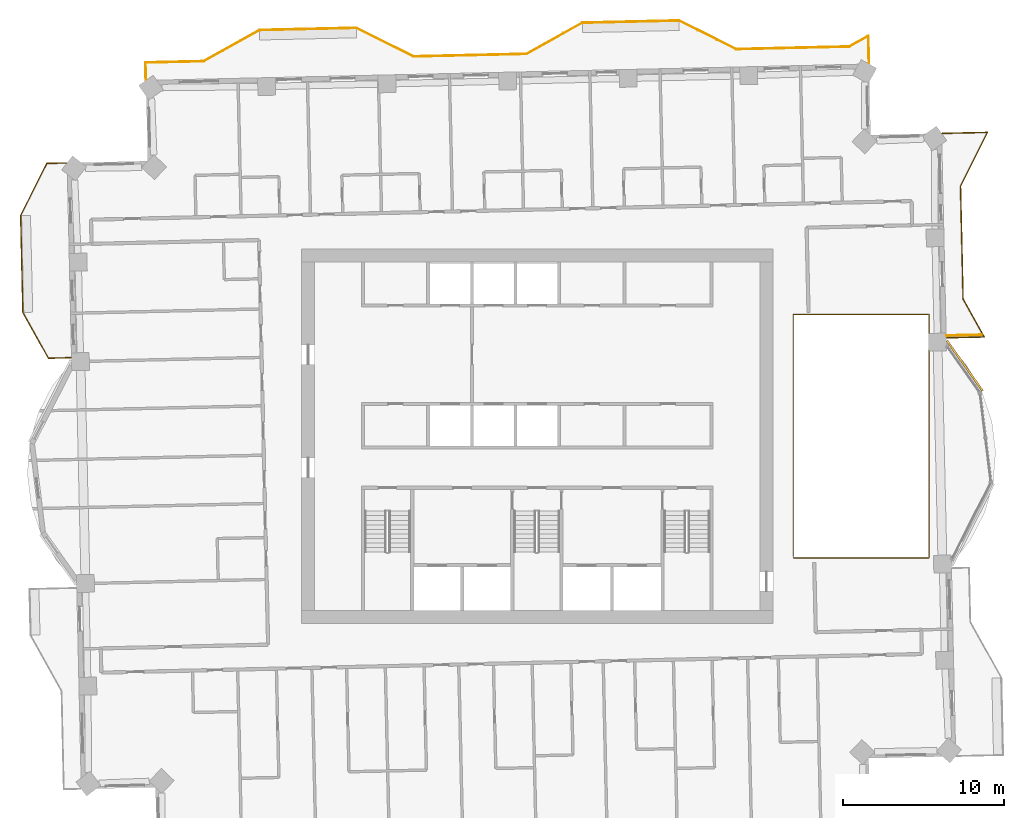
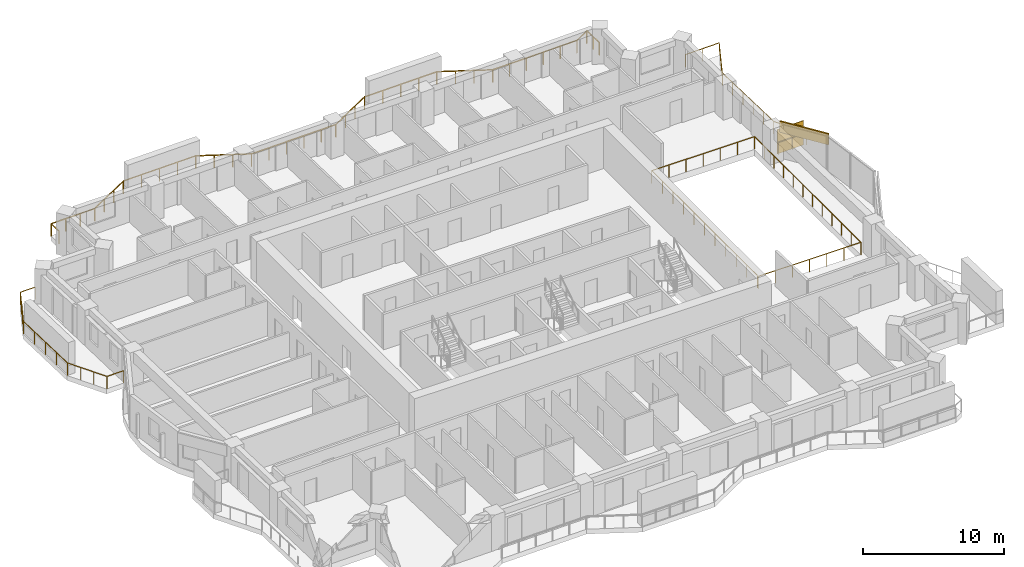
# One storey, part 17 of 17: 4 railings, 1 covering, 1 shading device.
"""IFC4 building model written with IfcOpenShell, lengths in metres."""

import ifcopenshell
import ifcopenshell.guid

model = None  # the IFC model being written
_history = None  # IfcOwnerHistory: only IFC2X3 demands one
_inside = {}  # id of a spatial element -> (the spatial element, [elements in it])
_under = {}  # id of a project, library or spatial element -> (it, [spatial elements below it])
_declared = {}  # id of a project -> (the project, [libraries it declares])
_typed = {}  # id of a type object -> (the type object, [elements of that type])
_made_of = {}  # id of a material, layer set ... -> (it, [elements and type objects made of it])


def new_model(schema):
    """Start an empty IFC model of exactly this schema.

    Asked for "IFC4X3", IfcOpenShell would pick the latest addendum, in which some entities
    have other attributes; the version numbers below select the first issue.
    IFC2X3 requires an IfcOwnerHistory on every rooted entity: one is made here for all.
    """
    global model, _history
    if schema == "IFC4X3":
        model = ifcopenshell.file(schema_version=(4, 3, 0, 0))
    else:
        model = ifcopenshell.file(schema=schema)
    _inside.clear()
    _under.clear()
    _declared.clear()
    _typed.clear()
    _made_of.clear()
    _history = None
    if model.schema == "IFC2X3":
        org = make("IfcOrganization", Name="unknown")
        user = make(
            "IfcPersonAndOrganization",
            ThePerson=make("IfcPerson", FamilyName="unknown"),
            TheOrganization=org,
        )
        app = make(
            "IfcApplication",
            ApplicationDeveloper=org,
            Version="unknown",
            ApplicationFullName="unknown",
            ApplicationIdentifier="unknown",
        )
        _history = make(
            "IfcOwnerHistory",
            OwningUser=user,
            OwningApplication=app,
            ChangeAction="ADDED",
            CreationDate=0,
        )
    return model


def make(cls, **values):
    """One entity of the class cls with the attributes given. An attribute that is None is left unset."""
    return model.create_entity(
        cls, **{name: value for name, value in values.items() if value is not None}
    )


def rooted(cls, **values):
    """An entity with a GlobalId (a new one), such as an element, a storey or a relation."""
    return make(cls, GlobalId=ifcopenshell.guid.new(), OwnerHistory=_history, **values)


def si_unit(unit_type, name, prefix=None):
    """IfcSIUnit, for example si_unit("LENGTHUNIT", "METRE", prefix="MILLI")."""
    return make("IfcSIUnit", UnitType=unit_type, Prefix=prefix, Name=name)


def assignment(units):
    """IfcUnitAssignment: the units of a project."""
    return None if units is None else make("IfcUnitAssignment", Units=units)


def point(xyz):
    """IfcCartesianPoint."""
    return None if xyz is None else make("IfcCartesianPoint", Coordinates=xyz)


def direction(xyz):
    """IfcDirection."""
    return None if xyz is None else make("IfcDirection", DirectionRatios=xyz)


def frame(location, z_axis=None, x_axis=None):
    """IfcAxis2Placement3D, a coordinate frame: its origin and axes. An axis left out is left unset."""
    return make(
        "IfcAxis2Placement3D",
        Location=point(location),
        Axis=direction(z_axis),
        RefDirection=direction(x_axis),
    )


def frame_2d(location, x_axis=None):
    """IfcAxis2Placement2D, a coordinate frame in the plane: its origin and x axis."""
    return make(
        "IfcAxis2Placement2D", Location=point(location), RefDirection=direction(x_axis)
    )


def origin():
    """The frame at (0, 0, 0) with its axes left unset."""
    return frame((0.0, 0.0, 0.0))


def origin_2d():
    """The frame at (0, 0) in the plane with its x axis left unset."""
    return frame_2d((0.0, 0.0))


def place(relative_to, where):
    """IfcLocalPlacement: puts the frame where relative to a parent placement (None: the world)."""
    return make(
        "IfcLocalPlacement", PlacementRelTo=relative_to, RelativePlacement=where
    )


def context(
    kind, dimensions, precision=None, world=None, true_north=None, identifier=None
):
    """IfcGeometricRepresentationContext, for example the 3D "Model" context."""
    return make(
        "IfcGeometricRepresentationContext",
        ContextIdentifier=identifier,
        ContextType=kind,
        CoordinateSpaceDimension=dimensions,
        Precision=precision,
        WorldCoordinateSystem=world,
        TrueNorth=true_north,
    )


def subcontext(parent, identifier, kind, view, scale=None):
    """IfcGeometricRepresentationSubContext, for example "Body" below "Model"."""
    return make(
        "IfcGeometricRepresentationSubContext",
        ContextIdentifier=identifier,
        ContextType=kind,
        ParentContext=parent,
        TargetScale=scale,
        TargetView=view,
    )


def project(units=None, contexts=None):
    """IfcProject with its units and contexts."""
    return rooted(
        "IfcProject",
        Name="project",
        RepresentationContexts=contexts,
        UnitsInContext=assignment(units),
    )


def spatial(cls, under=None, at=None, **own):
    """A site, building, storey or space (cls), placed at a placement, below another one or the project."""
    s = rooted(cls, ObjectPlacement=at, **own)
    if under is not None:
        _under.setdefault(under.id(), (under, []))[1].append(s)
    return s


def profile(cls, at=None, kind="AREA", **sizes):
    """A parametric profile (cls). Its sizes go by their IFC names, for example OverallWidth=200.0."""
    return make(cls, ProfileType=kind, Position=at, **sizes)


def rectangle(**sizes):
    """IfcRectangleProfileDef."""
    return profile("IfcRectangleProfileDef", **sizes)


def extrude(swept, where, along, depth):
    """IfcExtrudedAreaSolid: the profile swept, set in the frame where, extruded along a direction by depth."""
    return make(
        "IfcExtrudedAreaSolid",
        SweptArea=swept,
        Position=where,
        ExtrudedDirection=direction(along),
        Depth=depth,
    )


def shape(context_of_items, identifier, shape_type, items):
    """IfcShapeRepresentation: the items that make up one representation, for example the "Body"."""
    return make(
        "IfcShapeRepresentation",
        ContextOfItems=context_of_items,
        RepresentationIdentifier=identifier,
        RepresentationType=shape_type,
        Items=items,
    )


def material(Name=None, Category=None):
    """IfcMaterial."""
    return make("IfcMaterial", Name=Name, Category=Category)


def layer(
    of_material, thickness, ventilated=None, Name=None, Category=None, Priority=None
):
    """IfcMaterialLayer: one layer of a wall or slab, of a material (None: an air gap)."""
    return make(
        "IfcMaterialLayer",
        Material=of_material,
        LayerThickness=thickness,
        IsVentilated=ventilated,
        Name=Name,
        Category=Category,
        Priority=Priority,
    )


def layer_set(layers, Name=None):
    """IfcMaterialLayerSet."""
    return make("IfcMaterialLayerSet", MaterialLayers=layers, LayerSetName=Name)


def made_of(thing, what):
    """Note that an element or type object is made of a material, layer set ...; save() writes the relation."""
    if what is not None:
        _made_of.setdefault(what.id(), (what, []))[1].append(thing)
    return thing


def type_object(cls, material=None, **own):
    """A type object (cls), such as IfcWallType, which elements share."""
    return made_of(rooted(cls, **own), material)


def element(
    cls,
    number,
    at=None,
    inside=None,
    cuts=None,
    type_object=None,
    material=None,
    context=None,
    identifier="Body",
    shape_type=None,
    held_by="IfcProductDefinitionShape",
    body=None,
    shapes=None,
    **own,
):
    """One element of the class cls, such as IfcWall. Its Tag is "e" and its number.

    at: its placement. inside: the storey or other place that contains it. cuts: it is an
    opening in that element (IfcRelVoidsElement). A single representation is given by context,
    identifier, shape_type and body (its items); several are given by shapes. held_by: the class
    of the entity that holds the representations. save() writes the other relations.
    """
    e = rooted(cls, Tag="e%d" % number, ObjectPlacement=at, **own)
    if body is not None:
        shapes = [shape(context, identifier, shape_type, body)]
    if shapes is not None:
        e.Representation = make(held_by, Representations=shapes)
    if inside is not None:
        _inside.setdefault(inside.id(), (inside, []))[1].append(e)
    if cuts is not None:
        rooted(
            "IfcRelVoidsElement", RelatingBuildingElement=cuts, RelatedOpeningElement=e
        )
    if type_object is not None:
        _typed.setdefault(type_object.id(), (type_object, []))[1].append(e)
    return made_of(e, material)


def aggregate(whole, parts):
    """IfcRelAggregates: a whole, such as a stair, and the parts it consists of."""
    return rooted("IfcRelAggregates", RelatingObject=whole, RelatedObjects=parts)


def save(model, path):
    """Write the relations noted so far, then the file.

    IfcRelAggregates (storeys below a building ...), IfcRelContainedInSpatialStructure (elements
    in a storey), IfcRelDefinesByType, IfcRelAssociatesMaterial and IfcRelDeclares: one each for
    every whole, place, type object, material and project.
    """
    for whole, parts in _under.values():
        aggregate(whole, parts)
    for where, things in _inside.values():
        rooted(
            "IfcRelContainedInSpatialStructure",
            RelatedElements=things,
            RelatingStructure=where,
        )
    for kind, things in _typed.values():
        rooted("IfcRelDefinesByType", RelatedObjects=things, RelatingType=kind)
    for what, things in _made_of.values():
        rooted("IfcRelAssociatesMaterial", RelatedObjects=things, RelatingMaterial=what)
    for by, libraries in _declared.values():
        rooted("IfcRelDeclares", RelatingContext=by, RelatedDefinitions=libraries)
    model.write(path)


model = new_model("IFC4")

# Units and contexts
model_context = context("Model", 3, precision=1e-05, world=origin(), true_north=direction((0.0, 1.0)))
body_context = subcontext(model_context, "Body", "Model", "MODEL_VIEW")
ifc_project = project(units=[si_unit("LENGTHUNIT", "METRE"), si_unit("AREAUNIT", "SQUARE_METRE"), si_unit("VOLUMEUNIT", "CUBIC_METRE"), si_unit("PLANEANGLEUNIT", "RADIAN"), si_unit("MASSUNIT", "GRAM", prefix="KILO")], contexts=[model_context])

# Site, building, storey
site_placement = place(None, origin())
site = spatial("IfcSite", under=ifc_project, at=site_placement, CompositionType="ELEMENT")
building_placement = place(site_placement, origin())
building = spatial("IfcBuilding", under=site, at=building_placement, Name="Mangrove Gate Tower", CompositionType="ELEMENT")
storey_placement = place(building_placement, frame((0.0, 0.0, 238.300048828125)))
storey = spatial("IfcBuildingStorey", under=building, at=storey_placement, Name="L60", CompositionType="ELEMENT", Elevation=238.300048828125)

# Railings
ifc_material_1 = material(Name="Stainless steel grade 316 with laminated glass infill", Category="steel")
railing_type = type_object("IfcRailingType", Name="Balcony guard 1100", PredefinedType="GUARDRAIL", material=ifc_material_1)
railing_1_placement = place(storey_placement, frame((25.375, 6.089111328125, 0.0)))
element("IfcRailing", 1, at=railing_1_placement, inside=storey, type_object=railing_type, Name="GUARD L60 E2", PredefinedType="GUARDRAIL", context=body_context, shape_type="SweptSolid", body=[
    extrude(rectangle(XDim=0.048095703125, YDim=0.048095703125, at=origin_2d()), frame((0.0, 0.0, 1.076171875), z_axis=(0.999738230516, 0.022879476484, 0.0), x_axis=(-0.022879476484, 0.999738230516, 0.0)), (0.0, 0.0, 1.0), 2.3154296875),
    extrude(rectangle(XDim=0.048095703125, YDim=0.048095703125, at=origin_2d()), frame((2.31494140625, 0.052978515625, 1.076171875), z_axis=(-0.487370995318, 0.873195002804, 0.0), x_axis=(-0.873195002804, -0.487370995318, 0.0)), (0.0, 0.0, 1.0), 2.685546875),
    extrude(rectangle(XDim=0.048095703125, YDim=0.048095703125, at=origin_2d()), frame((1.006103515625, 2.39794921875, 1.076171875), z_axis=(-0.022737248567, 0.999741475346, 0.0), x_axis=(-0.999741475346, -0.022737248567, 0.0)), (0.0, 0.0, 1.0), 7.000732421875),
    extrude(rectangle(XDim=0.048095703125, YDim=0.048095703125, at=origin_2d()), frame((0.846923828125, 9.39697265625, 1.076171875), z_axis=(0.447265929493, 0.89440102209, 0.0), x_axis=(-0.89440102209, 0.447265929493, 0.0)), (0.0, 0.0, 1.0), 3.73193359375),
    extrude(rectangle(XDim=0.048095703125, YDim=0.048095703125, at=origin_2d()), frame((2.51611328125, 12.73486328125, 1.076171875), z_axis=(-0.999747646163, -0.022464282591, 0.0), x_axis=(0.022464282591, -0.999747646163, 0.0)), (0.0, 0.0, 1.0), 2.803955078125),
    extrude(rectangle(XDim=0.0419921875, YDim=0.0419921875, at=origin_2d()), origin(), (0.0, 0.0, 1.0), 1.052001953125),
    extrude(rectangle(XDim=0.0419921875, YDim=0.0419921875, at=origin_2d()), frame((1.157470703125, 0.0263671875, 0.0)), (0.0, 0.0, 1.0), 1.052001953125),
    extrude(rectangle(XDim=0.0419921875, YDim=0.0419921875, at=origin_2d()), frame((2.31494140625, 0.052978515625, 0.0)), (0.0, 0.0, 1.0), 1.052001953125),
    extrude(rectangle(XDim=0.0419921875, YDim=0.0419921875, at=origin_2d()), frame((1.66064453125, 1.2255859375, 0.0)), (0.0, 0.0, 1.0), 1.052001953125),
    extrude(rectangle(XDim=0.0419921875, YDim=0.0419921875, at=origin_2d()), frame((1.006103515625, 2.39794921875, 0.0)), (0.0, 0.0, 1.0), 1.052001953125),
    extrude(rectangle(XDim=0.0419921875, YDim=0.0419921875, at=origin_2d()), frame((0.974365234375, 3.7978515625, 0.0)), (0.0, 0.0, 1.0), 1.052001953125),
    extrude(rectangle(XDim=0.0419921875, YDim=0.0419921875, at=origin_2d()), frame((0.9423828125, 5.197509765625, 0.0)), (0.0, 0.0, 1.0), 1.052001953125),
    extrude(rectangle(XDim=0.0419921875, YDim=0.0419921875, at=origin_2d()), frame((0.91064453125, 6.597412109375, 0.0)), (0.0, 0.0, 1.0), 1.052001953125),
    extrude(rectangle(XDim=0.0419921875, YDim=0.0419921875, at=origin_2d()), frame((0.878662109375, 7.9970703125, 0.0)), (0.0, 0.0, 1.0), 1.052001953125),
    extrude(rectangle(XDim=0.0419921875, YDim=0.0419921875, at=origin_2d()), frame((0.846923828125, 9.39697265625, 0.0)), (0.0, 0.0, 1.0), 1.052001953125),
    extrude(rectangle(XDim=0.0419921875, YDim=0.0419921875, at=origin_2d()), frame((1.4033203125, 10.509521484375, 0.0)), (0.0, 0.0, 1.0), 1.052001953125),
    extrude(rectangle(XDim=0.0419921875, YDim=0.0419921875, at=origin_2d()), frame((1.959716796875, 11.622314453125, 0.0)), (0.0, 0.0, 1.0), 1.052001953125),
    extrude(rectangle(XDim=0.0419921875, YDim=0.0419921875, at=origin_2d()), frame((2.51611328125, 12.73486328125, 0.0)), (0.0, 0.0, 1.0), 1.052001953125),
    extrude(rectangle(XDim=0.0419921875, YDim=0.0419921875, at=origin_2d()), frame((1.114501953125, 12.703369140625, 0.0)), (0.0, 0.0, 1.0), 1.052001953125),
    extrude(rectangle(XDim=0.0419921875, YDim=0.0419921875, at=origin_2d()), frame((-0.287109375, 12.671875, 0.0)), (0.0, 0.0, 1.0), 1.052001953125),
])
railing_2_placement = place(storey_placement, frame((20.548095703125, 23.09912109375, 0.0)))
element("IfcRailing", 2, at=railing_2_placement, inside=storey, type_object=railing_type, Name="GUARD L60 N1", PredefinedType="GUARDRAIL", context=body_context, shape_type="SweptSolid", body=[
    extrude(rectangle(XDim=0.048095703125, YDim=0.048095703125, at=origin_2d()), frame((0.0, 0.0, 1.076171875), z_axis=(-0.022453307121, 0.999747892721, 0.0), x_axis=(-0.999747892721, -0.022453307121, 0.0)), (0.0, 0.0, 1.0), 1.6962890625),
    extrude(rectangle(XDim=0.048095703125, YDim=0.048095703125, at=origin_2d()), frame((-0.0380859375, 1.69580078125, 1.076171875), z_axis=(-0.873132041453, -0.487483782487, 0.0), x_axis=(0.487483782487, -0.873132041453, 0.0)), (0.0, 0.0, 1.0), 1.36181640625),
    extrude(rectangle(XDim=0.048095703125, YDim=0.048095703125, at=origin_2d()), frame((-1.22705078125, 1.031982421875, 1.076171875), z_axis=(-0.999741475346, -0.022737248567, 0.0), x_axis=(0.022737248567, -0.999741475346, 0.0)), (0.0, 0.0, 1.0), 7.000732421875),
    extrude(rectangle(XDim=0.048095703125, YDim=0.048095703125, at=origin_2d()), frame((-8.22607421875, 0.872802734375, 1.076171875), z_axis=(-0.894377854182, 0.447312255532, 0.0), x_axis=(-0.447312255532, -0.894377854182, 0.0)), (0.0, 0.0, 1.0), 3.959228515625),
    extrude(rectangle(XDim=0.048095703125, YDim=0.048095703125, at=origin_2d()), frame((-11.76708984375, 2.643798828125, 1.076171875), z_axis=(-0.999739392852, -0.022828630714, 0.0), x_axis=(0.022828630714, -0.999739392852, 0.0)), (0.0, 0.0, 1.0), 5.99951171875),
    extrude(rectangle(XDim=0.048095703125, YDim=0.048095703125, at=origin_2d()), frame((-17.76513671875, 2.5068359375, 1.076171875), z_axis=(-0.873361856081, -0.487071933437, 0.0), x_axis=(0.487071933437, -0.873361856081, 0.0)), (0.0, 0.0, 1.0), 3.958251953125),
    extrude(rectangle(XDim=0.048095703125, YDim=0.048095703125, at=origin_2d()), frame((-21.22216796875, 0.578857421875, 1.076171875), z_axis=(-0.999726384707, -0.023391359968, 0.0), x_axis=(0.023391359968, -0.999726384707, 0.0)), (0.0, 0.0, 1.0), 1.2001953125),
    extrude(rectangle(XDim=0.048095703125, YDim=0.048095703125, at=origin_2d()), frame((-22.422119140625, 0.55078125, 1.076171875), z_axis=(-0.999745408996, -0.022563625383, 0.0), x_axis=(0.022563625383, -0.999745408996, 0.0)), (0.0, 0.0, 1.0), 5.799560546875),
    extrude(rectangle(XDim=0.048095703125, YDim=0.048095703125, at=origin_2d()), frame((-28.22021484375, 0.419921875, 1.076171875), z_axis=(-0.894525821107, 0.447016280881, 0.0), x_axis=(-0.447016280881, -0.894525821107, 0.0)), (0.0, 0.0, 1.0), 3.959716796875),
    extrude(rectangle(XDim=0.048095703125, YDim=0.048095703125, at=origin_2d()), frame((-31.76220703125, 2.18994140625, 1.076171875), z_axis=(-0.999743073592, -0.022666865795, 0.0), x_axis=(0.022666865795, -0.999743073592, 0.0)), (0.0, 0.0, 1.0), 5.999267578125),
    extrude(rectangle(XDim=0.048095703125, YDim=0.048095703125, at=origin_2d()), frame((-37.760009765625, 2.053955078125, 1.076171875), z_axis=(-0.87325689943, -0.48726008209, 0.0), x_axis=(0.48726008209, -0.87325689943, 0.0)), (0.0, 0.0, 1.0), 3.958740234375),
    extrude(rectangle(XDim=0.048095703125, YDim=0.048095703125, at=origin_2d()), frame((-41.217041015625, 0.125, 1.076171875), z_axis=(-0.999740925452, -0.022761414213, 0.0), x_axis=(0.022761414213, -0.999740925452, 0.0)), (0.0, 0.0, 1.0), 3.60400390625),
    extrude(rectangle(XDim=0.048095703125, YDim=0.048095703125, at=origin_2d()), frame((-44.820068359375, 0.04296875, 1.076171875), z_axis=(0.022564497502, -0.999745389313, 0.0), x_axis=(0.999745389313, 0.022564497502, 0.0)), (0.0, 0.0, 1.0), 1.060302734375),
    extrude(rectangle(XDim=0.0419921875, YDim=0.0419921875, at=origin_2d()), origin(), (0.0, 0.0, 1.0), 1.052001953125),
    extrude(rectangle(XDim=0.0419921875, YDim=0.0419921875, at=origin_2d()), frame((-0.01904296875, 0.847900390625, 0.0)), (0.0, 0.0, 1.0), 1.052001953125),
    extrude(rectangle(XDim=0.0419921875, YDim=0.0419921875, at=origin_2d()), frame((-0.0380859375, 1.69580078125, 0.0)), (0.0, 0.0, 1.0), 1.052001953125),
    extrude(rectangle(XDim=0.0419921875, YDim=0.0419921875, at=origin_2d()), frame((-1.22705078125, 1.031982421875, 0.0)), (0.0, 0.0, 1.0), 1.052001953125),
    extrude(rectangle(XDim=0.0419921875, YDim=0.0419921875, at=origin_2d()), frame((-2.626953125, 1.000244140625, 0.0)), (0.0, 0.0, 1.0), 1.052001953125),
    extrude(rectangle(XDim=0.0419921875, YDim=0.0419921875, at=origin_2d()), frame((-4.026611328125, 0.96826171875, 0.0)), (0.0, 0.0, 1.0), 1.052001953125),
    extrude(rectangle(XDim=0.0419921875, YDim=0.0419921875, at=origin_2d()), frame((-5.426513671875, 0.9365234375, 0.0)), (0.0, 0.0, 1.0), 1.052001953125),
    extrude(rectangle(XDim=0.0419921875, YDim=0.0419921875, at=origin_2d()), frame((-6.826171875, 0.904541015625, 0.0)), (0.0, 0.0, 1.0), 1.052001953125),
    extrude(rectangle(XDim=0.0419921875, YDim=0.0419921875, at=origin_2d()), frame((-8.22607421875, 0.872802734375, 0.0)), (0.0, 0.0, 1.0), 1.052001953125),
    extrude(rectangle(XDim=0.0419921875, YDim=0.0419921875, at=origin_2d()), frame((-9.406494140625, 1.463134765625, 0.0)), (0.0, 0.0, 1.0), 1.052001953125),
    extrude(rectangle(XDim=0.0419921875, YDim=0.0419921875, at=origin_2d()), frame((-10.586669921875, 2.053466796875, 0.0)), (0.0, 0.0, 1.0), 1.052001953125),
    extrude(rectangle(XDim=0.0419921875, YDim=0.0419921875, at=origin_2d()), frame((-11.76708984375, 2.643798828125, 0.0)), (0.0, 0.0, 1.0), 1.052001953125),
    extrude(rectangle(XDim=0.0419921875, YDim=0.0419921875, at=origin_2d()), frame((-13.2666015625, 2.609619140625, 0.0)), (0.0, 0.0, 1.0), 1.052001953125),
    extrude(rectangle(XDim=0.0419921875, YDim=0.0419921875, at=origin_2d()), frame((-14.76611328125, 2.5751953125, 0.0)), (0.0, 0.0, 1.0), 1.052001953125),
    extrude(rectangle(XDim=0.0419921875, YDim=0.0419921875, at=origin_2d()), frame((-16.265625, 2.541015625, 0.0)), (0.0, 0.0, 1.0), 1.052001953125),
    extrude(rectangle(XDim=0.0419921875, YDim=0.0419921875, at=origin_2d()), frame((-17.76513671875, 2.5068359375, 0.0)), (0.0, 0.0, 1.0), 1.052001953125),
    extrude(rectangle(XDim=0.0419921875, YDim=0.0419921875, at=origin_2d()), frame((-18.91748046875, 1.8642578125, 0.0)), (0.0, 0.0, 1.0), 1.052001953125),
    extrude(rectangle(XDim=0.0419921875, YDim=0.0419921875, at=origin_2d()), frame((-20.06982421875, 1.221435546875, 0.0)), (0.0, 0.0, 1.0), 1.052001953125),
    extrude(rectangle(XDim=0.0419921875, YDim=0.0419921875, at=origin_2d()), frame((-21.22216796875, 0.578857421875, 0.0)), (0.0, 0.0, 1.0), 1.052001953125),
    extrude(rectangle(XDim=0.0419921875, YDim=0.0419921875, at=origin_2d()), frame((-22.422119140625, 0.55078125, 0.0)), (0.0, 0.0, 1.0), 1.052001953125),
    extrude(rectangle(XDim=0.0419921875, YDim=0.0419921875, at=origin_2d()), frame((-23.87158203125, 0.51806640625, 0.0)), (0.0, 0.0, 1.0), 1.052001953125),
    extrude(rectangle(XDim=0.0419921875, YDim=0.0419921875, at=origin_2d()), frame((-25.3212890625, 0.4853515625, 0.0)), (0.0, 0.0, 1.0), 1.052001953125),
    extrude(rectangle(XDim=0.0419921875, YDim=0.0419921875, at=origin_2d()), frame((-26.770751953125, 0.45263671875, 0.0)), (0.0, 0.0, 1.0), 1.052001953125),
    extrude(rectangle(XDim=0.0419921875, YDim=0.0419921875, at=origin_2d()), frame((-28.22021484375, 0.419921875, 0.0)), (0.0, 0.0, 1.0), 1.052001953125),
    extrude(rectangle(XDim=0.0419921875, YDim=0.0419921875, at=origin_2d()), frame((-29.40087890625, 1.010009765625, 0.0)), (0.0, 0.0, 1.0), 1.052001953125),
    extrude(rectangle(XDim=0.0419921875, YDim=0.0419921875, at=origin_2d()), frame((-30.58154296875, 1.599853515625, 0.0)), (0.0, 0.0, 1.0), 1.052001953125),
    extrude(rectangle(XDim=0.0419921875, YDim=0.0419921875, at=origin_2d()), frame((-31.76220703125, 2.18994140625, 0.0)), (0.0, 0.0, 1.0), 1.052001953125),
    extrude(rectangle(XDim=0.0419921875, YDim=0.0419921875, at=origin_2d()), frame((-33.26171875, 2.156005859375, 0.0)), (0.0, 0.0, 1.0), 1.052001953125),
    extrude(rectangle(XDim=0.0419921875, YDim=0.0419921875, at=origin_2d()), frame((-34.76123046875, 2.1220703125, 0.0)), (0.0, 0.0, 1.0), 1.052001953125),
    extrude(rectangle(XDim=0.0419921875, YDim=0.0419921875, at=origin_2d()), frame((-36.260498046875, 2.087890625, 0.0)), (0.0, 0.0, 1.0), 1.052001953125),
    extrude(rectangle(XDim=0.0419921875, YDim=0.0419921875, at=origin_2d()), frame((-37.760009765625, 2.053955078125, 0.0)), (0.0, 0.0, 1.0), 1.052001953125),
    extrude(rectangle(XDim=0.0419921875, YDim=0.0419921875, at=origin_2d()), frame((-38.912353515625, 1.410888671875, 0.0)), (0.0, 0.0, 1.0), 1.052001953125),
    extrude(rectangle(XDim=0.0419921875, YDim=0.0419921875, at=origin_2d()), frame((-40.064697265625, 0.76806640625, 0.0)), (0.0, 0.0, 1.0), 1.052001953125),
    extrude(rectangle(XDim=0.0419921875, YDim=0.0419921875, at=origin_2d()), frame((-41.217041015625, 0.125, 0.0)), (0.0, 0.0, 1.0), 1.052001953125),
    extrude(rectangle(XDim=0.0419921875, YDim=0.0419921875, at=origin_2d()), frame((-42.41796875, 0.09765625, 0.0)), (0.0, 0.0, 1.0), 1.052001953125),
    extrude(rectangle(XDim=0.0419921875, YDim=0.0419921875, at=origin_2d()), frame((-43.619140625, 0.0703125, 0.0)), (0.0, 0.0, 1.0), 1.052001953125),
    extrude(rectangle(XDim=0.0419921875, YDim=0.0419921875, at=origin_2d()), frame((-44.820068359375, 0.04296875, 0.0)), (0.0, 0.0, 1.0), 1.052001953125),
    extrude(rectangle(XDim=0.0419921875, YDim=0.0419921875, at=origin_2d()), frame((-44.796142578125, -1.01708984375, 0.0)), (0.0, 0.0, 1.0), 1.052001953125),
])
railing_3_placement = place(storey_placement, frame((-29.173095703125, 16.928955078125, 0.0)))
element("IfcRailing", 3, at=railing_3_placement, inside=storey, type_object=railing_type, Name="GUARD L60 W1", PredefinedType="GUARDRAIL", context=body_context, shape_type="SweptSolid", body=[
    extrude(rectangle(XDim=0.048095703125, YDim=0.048095703125, at=origin_2d()), frame((0.0, 0.0, 1.076171875), z_axis=(-0.999757020263, -0.022043149374, 0.0), x_axis=(0.022043149374, -0.999757020263, 0.0)), (0.0, 0.0, 1.0), 1.21826171875),
    extrude(rectangle(XDim=0.048095703125, YDim=0.048095703125, at=origin_2d()), frame((-1.218017578125, -0.02685546875, 1.076171875), z_axis=(-0.446970770092, -0.894548562507, 0.0), x_axis=(0.894548562507, -0.446970770092, 0.0)), (0.0, 0.0, 1.0), 3.61962890625),
    extrude(rectangle(XDim=0.048095703125, YDim=0.048095703125, at=origin_2d()), frame((-2.8359375, -3.264892578125, 1.076171875), z_axis=(0.022665943652, -0.999743094499, 0.0), x_axis=(0.999743094499, 0.022665943652, 0.0)), (0.0, 0.0, 1.0), 5.99951171875),
    extrude(rectangle(XDim=0.048095703125, YDim=0.048095703125, at=origin_2d()), frame((-2.699951171875, -9.262939453125, 1.076171875), z_axis=(0.487089238085, -0.873352205093, 0.0), x_axis=(0.873352205093, 0.487089238085, 0.0)), (0.0, 0.0, 1.0), 3.251953125),
    extrude(rectangle(XDim=0.048095703125, YDim=0.048095703125, at=origin_2d()), frame((-1.115966796875, -12.10302734375, 1.076171875), z_axis=(0.999735451499, 0.023000587311, 0.0), x_axis=(-0.023000587311, 0.999735451499, 0.0)), (0.0, 0.0, 1.0), 1.390625),
    extrude(rectangle(XDim=0.0419921875, YDim=0.0419921875, at=origin_2d()), origin(), (0.0, 0.0, 1.0), 1.052001953125),
    extrude(rectangle(XDim=0.0419921875, YDim=0.0419921875, at=origin_2d()), frame((-1.218017578125, -0.02685546875, 0.0)), (0.0, 0.0, 1.0), 1.052001953125),
    extrude(rectangle(XDim=0.0419921875, YDim=0.0419921875, at=origin_2d()), frame((-1.75732421875, -1.106201171875, 0.0)), (0.0, 0.0, 1.0), 1.052001953125),
    extrude(rectangle(XDim=0.0419921875, YDim=0.0419921875, at=origin_2d()), frame((-2.296630859375, -2.185546875, 0.0)), (0.0, 0.0, 1.0), 1.052001953125),
    extrude(rectangle(XDim=0.0419921875, YDim=0.0419921875, at=origin_2d()), frame((-2.8359375, -3.264892578125, 0.0)), (0.0, 0.0, 1.0), 1.052001953125),
    extrude(rectangle(XDim=0.0419921875, YDim=0.0419921875, at=origin_2d()), frame((-2.802001953125, -4.764404296875, 0.0)), (0.0, 0.0, 1.0), 1.052001953125),
    extrude(rectangle(XDim=0.0419921875, YDim=0.0419921875, at=origin_2d()), frame((-2.76806640625, -6.263916015625, 0.0)), (0.0, 0.0, 1.0), 1.052001953125),
    extrude(rectangle(XDim=0.0419921875, YDim=0.0419921875, at=origin_2d()), frame((-2.73388671875, -7.763427734375, 0.0)), (0.0, 0.0, 1.0), 1.052001953125),
    extrude(rectangle(XDim=0.0419921875, YDim=0.0419921875, at=origin_2d()), frame((-2.699951171875, -9.262939453125, 0.0)), (0.0, 0.0, 1.0), 1.052001953125),
    extrude(rectangle(XDim=0.0419921875, YDim=0.0419921875, at=origin_2d()), frame((-2.171875, -10.209716796875, 0.0)), (0.0, 0.0, 1.0), 1.052001953125),
    extrude(rectangle(XDim=0.0419921875, YDim=0.0419921875, at=origin_2d()), frame((-1.64404296875, -11.15625, 0.0)), (0.0, 0.0, 1.0), 1.052001953125),
    extrude(rectangle(XDim=0.0419921875, YDim=0.0419921875, at=origin_2d()), frame((-1.115966796875, -12.10302734375, 0.0)), (0.0, 0.0, 1.0), 1.052001953125),
    extrude(rectangle(XDim=0.0419921875, YDim=0.0419921875, at=origin_2d()), frame((0.274169921875, -12.071044921875, 0.0)), (0.0, 0.0, 1.0), 1.052001953125),
])
railing_4_placement = place(storey_placement, frame((15.860107421875, -7.5400390625, 0.0)))
element("IfcRailing", 4, at=railing_4_placement, inside=storey, type_object=railing_type, Name="GUARD L60 atrium", PredefinedType="GUARDRAIL", context=body_context, shape_type="SweptSolid", body=[
    extrude(rectangle(XDim=0.048095703125, YDim=0.048095703125, at=origin_2d()), frame((0.0, 0.0, 1.076171875), z_axis=(1.0, 0.0, 0.0), x_axis=(0.0, 1.0, 0.0)), (0.0, 0.0, 1.0), 8.406982421875),
    extrude(rectangle(XDim=0.048095703125, YDim=0.048095703125, at=origin_2d()), frame((8.406982421875, 0.0, 1.076171875), z_axis=(0.0, 1.0, 0.0), x_axis=(-1.0, 0.0, 0.0)), (0.0, 0.0, 1.0), 15.080078125),
    extrude(rectangle(XDim=0.048095703125, YDim=0.048095703125, at=origin_2d()), frame((8.406982421875, 15.080078125, 1.076171875), z_axis=(-1.0, 0.0, 0.0), x_axis=(0.0, -1.0, 0.0)), (0.0, 0.0, 1.0), 8.406982421875),
    extrude(rectangle(XDim=0.048095703125, YDim=0.048095703125, at=origin_2d()), frame((0.0, 15.080078125, 1.076171875), z_axis=(0.0, -1.0, 0.0), x_axis=(1.0, 0.0, 0.0)), (0.0, 0.0, 1.0), 14.9599609375),
    extrude(rectangle(XDim=0.0419921875, YDim=0.0419921875, at=origin_2d()), origin(), (0.0, 0.0, 1.0), 1.052001953125),
    extrude(rectangle(XDim=0.0419921875, YDim=0.0419921875, at=origin_2d()), frame((1.401123046875, 0.0, 0.0)), (0.0, 0.0, 1.0), 1.052001953125),
    extrude(rectangle(XDim=0.0419921875, YDim=0.0419921875, at=origin_2d()), frame((2.80224609375, 0.0, 0.0)), (0.0, 0.0, 1.0), 1.052001953125),
    extrude(rectangle(XDim=0.0419921875, YDim=0.0419921875, at=origin_2d()), frame((4.20361328125, 0.0, 0.0)), (0.0, 0.0, 1.0), 1.052001953125),
    extrude(rectangle(XDim=0.0419921875, YDim=0.0419921875, at=origin_2d()), frame((5.604736328125, 0.0, 0.0)), (0.0, 0.0, 1.0), 1.052001953125),
    extrude(rectangle(XDim=0.0419921875, YDim=0.0419921875, at=origin_2d()), frame((7.005859375, 0.0, 0.0)), (0.0, 0.0, 1.0), 1.052001953125),
    extrude(rectangle(XDim=0.0419921875, YDim=0.0419921875, at=origin_2d()), frame((8.406982421875, 0.0, 0.0)), (0.0, 0.0, 1.0), 1.052001953125),
    extrude(rectangle(XDim=0.0419921875, YDim=0.0419921875, at=origin_2d()), frame((8.406982421875, 1.370849609375, 0.0)), (0.0, 0.0, 1.0), 1.052001953125),
    extrude(rectangle(XDim=0.0419921875, YDim=0.0419921875, at=origin_2d()), frame((8.406982421875, 2.741943359375, 0.0)), (0.0, 0.0, 1.0), 1.052001953125),
    extrude(rectangle(XDim=0.0419921875, YDim=0.0419921875, at=origin_2d()), frame((8.406982421875, 4.11279296875, 0.0)), (0.0, 0.0, 1.0), 1.052001953125),
    extrude(rectangle(XDim=0.0419921875, YDim=0.0419921875, at=origin_2d()), frame((8.406982421875, 5.483642578125, 0.0)), (0.0, 0.0, 1.0), 1.052001953125),
    extrude(rectangle(XDim=0.0419921875, YDim=0.0419921875, at=origin_2d()), frame((8.406982421875, 6.8544921875, 0.0)), (0.0, 0.0, 1.0), 1.052001953125),
    extrude(rectangle(XDim=0.0419921875, YDim=0.0419921875, at=origin_2d()), frame((8.406982421875, 8.2255859375, 0.0)), (0.0, 0.0, 1.0), 1.052001953125),
    extrude(rectangle(XDim=0.0419921875, YDim=0.0419921875, at=origin_2d()), frame((8.406982421875, 9.596435546875, 0.0)), (0.0, 0.0, 1.0), 1.052001953125),
    extrude(rectangle(XDim=0.0419921875, YDim=0.0419921875, at=origin_2d()), frame((8.406982421875, 10.96728515625, 0.0)), (0.0, 0.0, 1.0), 1.052001953125),
    extrude(rectangle(XDim=0.0419921875, YDim=0.0419921875, at=origin_2d()), frame((8.406982421875, 12.338134765625, 0.0)), (0.0, 0.0, 1.0), 1.052001953125),
    extrude(rectangle(XDim=0.0419921875, YDim=0.0419921875, at=origin_2d()), frame((8.406982421875, 13.709228515625, 0.0)), (0.0, 0.0, 1.0), 1.052001953125),
    extrude(rectangle(XDim=0.0419921875, YDim=0.0419921875, at=origin_2d()), frame((8.406982421875, 15.080078125, 0.0)), (0.0, 0.0, 1.0), 1.052001953125),
    extrude(rectangle(XDim=0.0419921875, YDim=0.0419921875, at=origin_2d()), frame((7.005859375, 15.080078125, 0.0)), (0.0, 0.0, 1.0), 1.052001953125),
    extrude(rectangle(XDim=0.0419921875, YDim=0.0419921875, at=origin_2d()), frame((5.604736328125, 15.080078125, 0.0)), (0.0, 0.0, 1.0), 1.052001953125),
    extrude(rectangle(XDim=0.0419921875, YDim=0.0419921875, at=origin_2d()), frame((4.20361328125, 15.080078125, 0.0)), (0.0, 0.0, 1.0), 1.052001953125),
    extrude(rectangle(XDim=0.0419921875, YDim=0.0419921875, at=origin_2d()), frame((2.80224609375, 15.080078125, 0.0)), (0.0, 0.0, 1.0), 1.052001953125),
    extrude(rectangle(XDim=0.0419921875, YDim=0.0419921875, at=origin_2d()), frame((1.401123046875, 15.080078125, 0.0)), (0.0, 0.0, 1.0), 1.052001953125),
    extrude(rectangle(XDim=0.0419921875, YDim=0.0419921875, at=origin_2d()), frame((0.0, 15.080078125, 0.0)), (0.0, 0.0, 1.0), 1.052001953125),
    extrude(rectangle(XDim=0.0419921875, YDim=0.0419921875, at=origin_2d()), frame((0.0, 13.583984375, 0.0)), (0.0, 0.0, 1.0), 1.052001953125),
    extrude(rectangle(XDim=0.0419921875, YDim=0.0419921875, at=origin_2d()), frame((0.0, 12.088134765625, 0.0)), (0.0, 0.0, 1.0), 1.052001953125),
    extrude(rectangle(XDim=0.0419921875, YDim=0.0419921875, at=origin_2d()), frame((0.0, 10.592041015625, 0.0)), (0.0, 0.0, 1.0), 1.052001953125),
    extrude(rectangle(XDim=0.0419921875, YDim=0.0419921875, at=origin_2d()), frame((0.0, 9.09619140625, 0.0)), (0.0, 0.0, 1.0), 1.052001953125),
    extrude(rectangle(XDim=0.0419921875, YDim=0.0419921875, at=origin_2d()), frame((0.0, 7.60009765625, 0.0)), (0.0, 0.0, 1.0), 1.052001953125),
    extrude(rectangle(XDim=0.0419921875, YDim=0.0419921875, at=origin_2d()), frame((0.0, 6.10400390625, 0.0)), (0.0, 0.0, 1.0), 1.052001953125),
    extrude(rectangle(XDim=0.0419921875, YDim=0.0419921875, at=origin_2d()), frame((0.0, 4.608154296875, 0.0)), (0.0, 0.0, 1.0), 1.052001953125),
    extrude(rectangle(XDim=0.0419921875, YDim=0.0419921875, at=origin_2d()), frame((0.0, 3.112060546875, 0.0)), (0.0, 0.0, 1.0), 1.052001953125),
    extrude(rectangle(XDim=0.0419921875, YDim=0.0419921875, at=origin_2d()), frame((0.0, 1.6162109375, 0.0)), (0.0, 0.0, 1.0), 1.052001953125),
    extrude(rectangle(XDim=0.0419921875, YDim=0.0419921875, at=origin_2d()), frame((0.0, 0.1201171875, 0.0)), (0.0, 0.0, 1.0), 1.052001953125),
])

# Shading device
ifc_material_2 = material(Name="Timber slat screen in teak", Category="wood")
shading_device_type = type_object("IfcShadingDeviceType", Name="Balcony screen 2100", PredefinedType="USERDEFINED", material=ifc_material_2)
shading_device_placement = place(storey_placement, frame((26.448974609375, 6.25390625, 0.0), z_axis=(0.0, 0.0, 1.0), x_axis=(0.999736234843, 0.022966513488, 0.0)))
element("IfcShadingDevice", 5, at=shading_device_placement, inside=storey, type_object=shading_device_type, Name="SCREEN L60 E1", ObjectType="SCREEN", PredefinedType="USERDEFINED", context=body_context, shape_type="SweptSolid", body=[
    extrude(rectangle(XDim=2.196044921875, YDim=0.050048828125, at=origin_2d()), origin(), (0.0, 0.0, 1.0), 2.10009765625),
])

# Covering
ifc_material_3 = material(Name="Limestone", Category="masonry")
ifc_layer_1 = layer(ifc_material_3, 0.0400390625, Name="Limestone cladding")
ifc_material_4 = material(Name="Stainless steel anchors and cavity", Category="steel")
ifc_layer_2 = layer(ifc_material_4, 0.080078125, Name="Fixing cavity")
ifc_layer_set = layer_set([ifc_layer_1, ifc_layer_2], Name="Joint fascia cladding 120")
covering_type = type_object("IfcCoveringType", Name="Joint fascia cladding 120", PredefinedType="CLADDING", material=ifc_layer_set)
covering_placement = place(storey_placement, frame((27.591064453125, 2.802978515625, 2.099853515625), z_axis=(0.0, 0.0, 1.0), x_axis=(-0.578168098379, 0.815917673553, 0.0)))
element("IfcCovering", 6, at=covering_placement, inside=storey, type_object=covering_type, Name="STONE FASCIA L60 E1.L2", PredefinedType="CLADDING", context=body_context, shape_type="SweptSolid", body=[
    extrude(rectangle(XDim=3.819091796875, YDim=0.1201171875, at=frame_2d((1.90966796875, 0.0))), origin(), (0.0, 0.0, 1.0), 0.9501953125),
])

save(model, "model.ifc")
